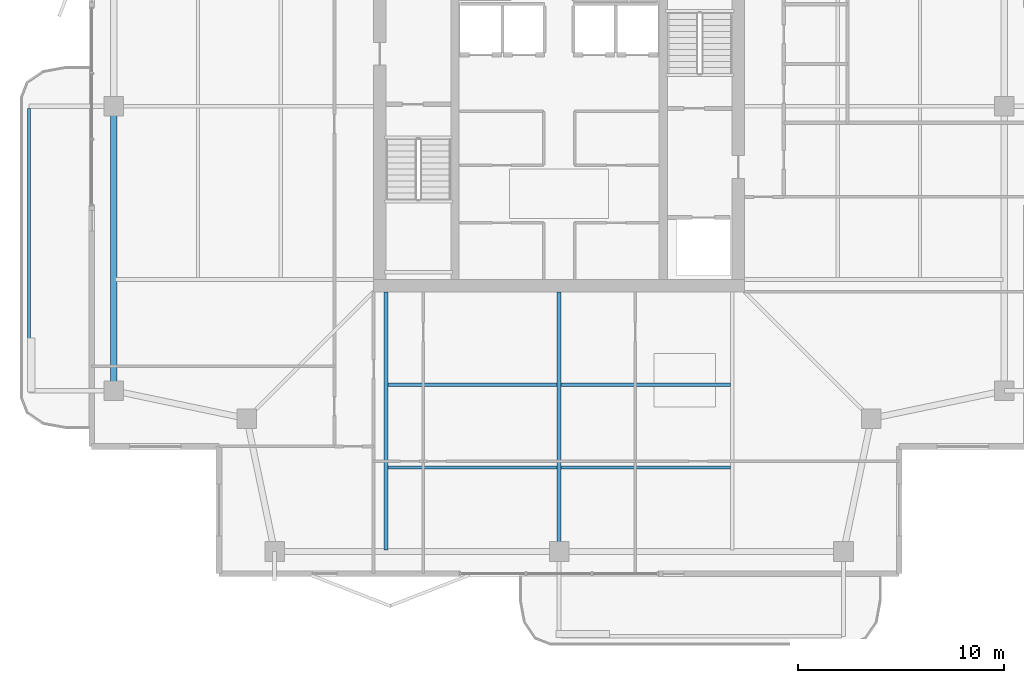
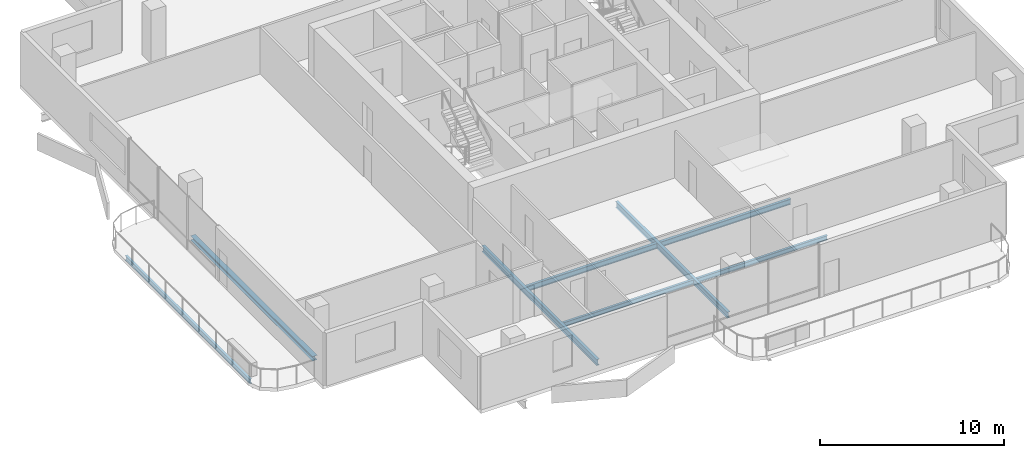
# One storey, part 4 of 18: 8 beams.
"""IFC4 building model written with IfcOpenShell, lengths in metres."""

from ifc_helpers import new_model, si_unit, direction, frame, origin, origin_2d, place, context, subcontext, project, spatial, i_section, extrude, material, material_profile, profile_set, type_object, element, save


model = new_model("IFC4")

# Units and contexts
model_context = context("Model", 3, precision=1e-05, world=origin(), true_north=direction((0.0, 1.0)))
body_context = subcontext(model_context, "Body", "Model", "MODEL_VIEW")
ifc_project = project(units=[si_unit("LENGTHUNIT", "METRE"), si_unit("AREAUNIT", "SQUARE_METRE"), si_unit("VOLUMEUNIT", "CUBIC_METRE"), si_unit("PLANEANGLEUNIT", "RADIAN"), si_unit("MASSUNIT", "GRAM", prefix="KILO")], contexts=[model_context])

# Site, building, storey
site_placement = place(None, origin())
site = spatial("IfcSite", under=ifc_project, at=site_placement, CompositionType="ELEMENT")
building_placement = place(site_placement, origin())
building = spatial("IfcBuilding", under=site, at=building_placement, Name="Belovzor Exchange Tower", CompositionType="ELEMENT")
storey_placement = place(building_placement, frame((0.0, 0.0, 310.5)))
storey = spatial("IfcBuildingStorey", under=building, at=storey_placement, Name="L77", CompositionType="ELEMENT", Elevation=310.5)

# Beams
ifc_material_1 = material(Name="Steel S355", Category="steel")
ifc_material_profile_1 = material_profile(ifc_material_1, i_section(OverallWidth=0.14990234375, OverallDepth=0.300048828125, WebThickness=0.007080078125, FlangeThickness=0.0107421875, at=origin_2d()))
ifc_profile_set_1 = profile_set([ifc_material_profile_1], Name="Steel S355")
beam_type_1 = type_object("IfcBeamType", Name="Planted Balcony Fascia Edge Beam IPE 300", PredefinedType="BEAM", material=ifc_profile_set_1)
beam_1_placement = place(storey_placement, frame((3.089111328125, 28.699951171875, -0.389892578125), z_axis=(0.0, -1.0, 0.0), x_axis=(1.0, 0.0, 0.0)))
element("IfcBeam", 1, at=beam_1_placement, inside=storey, type_object=beam_type_1, Name="BC-300 Planted Balcony Fascia Edge Beam IPE 300", PredefinedType="BEAM", context=body_context, shape_type="SweptSolid", body=[
    extrude(i_section(OverallWidth=0.14990234375, OverallDepth=0.300048828125, WebThickness=0.007080078125, FlangeThickness=0.0107421875, at=origin_2d()), origin(), (0.0, 0.0, 1.0), 13.599853515625),
])
ifc_material_2 = material(Name="Steel S355", Category="steel")
ifc_material_profile_2 = material_profile(ifc_material_2, i_section(OverallWidth=0.169921875, OverallDepth=0.360107421875, WebThickness=0.008056640625, FlangeThickness=0.0126953125, at=origin_2d()))
ifc_profile_set_2 = profile_set([ifc_material_profile_2], Name="Steel S355")
beam_type_2 = type_object("IfcBeamType", Name="Secondary Infill Floor Joist IPE 360", PredefinedType="BEAM", material=ifc_profile_set_2)
beam_2_placement = place(storey_placement, frame((20.489990234375, 15.291015625, -0.419921875), z_axis=(1.0, 0.0, 0.0), x_axis=(0.0, 1.0, 0.0)))
element("IfcBeam", 2, at=beam_2_placement, inside=storey, type_object=beam_type_2, Name="FJ-360 Secondary Infill Floor Joist IPE 360", PredefinedType="BEAM", context=body_context, shape_type="SweptSolid", body=[
    extrude(i_section(OverallWidth=0.169921875, OverallDepth=0.360107421875, WebThickness=0.008056640625, FlangeThickness=0.0126953125, at=origin_2d()), origin(), (0.0, 0.0, 1.0), 8.219970703125),
])
beam_3_placement = place(storey_placement, frame((28.889892578125, 15.291015625, -0.419921875), z_axis=(1.0, 0.0, 0.0), x_axis=(0.0, 1.0, 0.0)))
element("IfcBeam", 3, at=beam_3_placement, inside=storey, type_object=beam_type_2, Name="FJ-360 Secondary Infill Floor Joist IPE 360", PredefinedType="BEAM", context=body_context, shape_type="SweptSolid", body=[
    extrude(i_section(OverallWidth=0.169921875, OverallDepth=0.360107421875, WebThickness=0.008056640625, FlangeThickness=0.0126953125, at=origin_2d()), origin(), (0.0, 0.0, 1.0), 8.22021484375),
])
ifc_material_3 = material(Name="Steel S355", Category="steel")
ifc_material_profile_3 = material_profile(ifc_material_3, i_section(OverallWidth=0.14990234375, OverallDepth=0.300048828125, WebThickness=0.007080078125, FlangeThickness=0.0107421875, at=origin_2d()))
ifc_profile_set_3 = profile_set([ifc_material_profile_3], Name="Steel S355")
beam_type_3 = type_object("IfcBeamType", Name="Secondary Trim Floor Joist IPE 300", PredefinedType="BEAM", material=ifc_profile_set_3)
beam_4_placement = place(storey_placement, frame((20.489990234375, 11.282958984375, -0.389892578125), z_axis=(1.0, 0.0, 0.0), x_axis=(0.0, 1.0, 0.0)))
element("IfcBeam", 4, at=beam_4_placement, inside=storey, type_object=beam_type_3, Name="FJ-300 Secondary Trim Floor Joist IPE 300", PredefinedType="BEAM", context=body_context, shape_type="SweptSolid", body=[
    extrude(i_section(OverallWidth=0.14990234375, OverallDepth=0.300048828125, WebThickness=0.007080078125, FlangeThickness=0.0107421875, at=origin_2d()), origin(), (0.0, 0.0, 1.0), 8.219970703125),
])
beam_5_placement = place(storey_placement, frame((28.889892578125, 11.282958984375, -0.389892578125), z_axis=(1.0, 0.0, 0.0), x_axis=(0.0, 1.0, 0.0)))
element("IfcBeam", 5, at=beam_5_placement, inside=storey, type_object=beam_type_3, Name="FJ-300 Secondary Trim Floor Joist IPE 300", PredefinedType="BEAM", context=body_context, shape_type="SweptSolid", body=[
    extrude(i_section(OverallWidth=0.14990234375, OverallDepth=0.300048828125, WebThickness=0.007080078125, FlangeThickness=0.0107421875, at=origin_2d()), origin(), (0.0, 0.0, 1.0), 8.22021484375),
])
ifc_material_4 = material(Name="Steel S355", Category="steel")
ifc_material_profile_4 = material_profile(ifc_material_4, i_section(OverallWidth=0.179931640625, OverallDepth=0.39990234375, WebThickness=0.008544921875, FlangeThickness=0.013427734375, at=origin_2d()))
ifc_profile_set_4 = profile_set([ifc_material_profile_4], Name="Steel S355")
beam_type_4 = type_object("IfcBeamType", Name="Zone 5-6 Radial Composite Floor Beam IPE 400", PredefinedType="BEAM", material=ifc_profile_set_4)
beam_6_placement = place(storey_placement, frame((20.39990234375, 19.800048828125, -0.43994140625), z_axis=(0.0, -1.0, 0.0), x_axis=(1.0, 0.0, 0.0)))
element("IfcBeam", 6, at=beam_6_placement, inside=storey, type_object=beam_type_4, Name="FB-400 Zone 5-6 Radial Composite Floor Beam IPE 400", PredefinedType="BEAM", context=body_context, shape_type="SweptSolid", body=[
    extrude(i_section(OverallWidth=0.179931640625, OverallDepth=0.39990234375, WebThickness=0.008544921875, FlangeThickness=0.013427734375, at=origin_2d()), origin(), (0.0, 0.0, 1.0), 12.525146484375),
])
beam_7_placement = place(storey_placement, frame((28.800048828125, 19.800048828125, -0.43994140625), z_axis=(0.0, -1.0, 0.0), x_axis=(1.0, 0.0, 0.0)))
element("IfcBeam", 7, at=beam_7_placement, inside=storey, type_object=beam_type_4, Name="FB-400 Zone 5-6 Radial Composite Floor Beam IPE 400", PredefinedType="BEAM", context=body_context, shape_type="SweptSolid", body=[
    extrude(i_section(OverallWidth=0.179931640625, OverallDepth=0.39990234375, WebThickness=0.008544921875, FlangeThickness=0.013427734375, at=origin_2d()), origin(), (0.0, 0.0, 1.0), 12.18212890625),
])
ifc_material_5 = material(Name="Steel S355", Category="steel")
ifc_material_profile_5 = material_profile(ifc_material_5, i_section(OverallWidth=0.300048828125, OverallDepth=0.300048828125, WebThickness=0.008544921875, FlangeThickness=0.013916015625, at=origin_2d()))
ifc_profile_set_5 = profile_set([ifc_material_profile_5], Name="Steel S355")
beam_type_5 = type_object("IfcBeamType", Name="Zone 6 Primary Girder HEA 300", PredefinedType="BEAM", material=ifc_profile_set_5)
beam_8_placement = place(storey_placement, frame((7.199951171875, 28.5390625, -0.389892578125), z_axis=(0.0, -1.0, 0.0), x_axis=(1.0, 0.0, 0.0)))
element("IfcBeam", 8, at=beam_8_placement, inside=storey, type_object=beam_type_5, Name="FG-Z6 Zone 6 Primary Girder HEA 300", PredefinedType="BEAM", context=body_context, shape_type="SweptSolid", body=[
    extrude(i_section(OverallWidth=0.300048828125, OverallDepth=0.300048828125, WebThickness=0.008544921875, FlangeThickness=0.013916015625, at=origin_2d()), origin(), (0.0, 0.0, 1.0), 13.278076171875),
])

save(model, "model.ifc")
